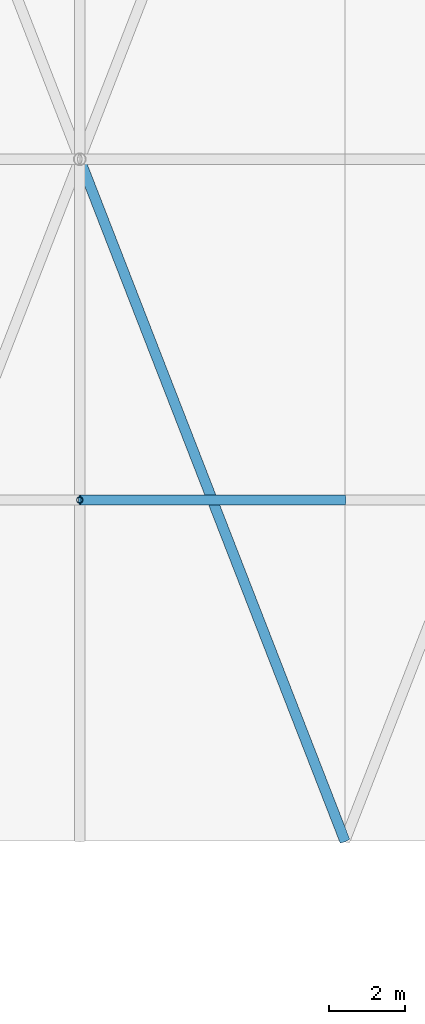
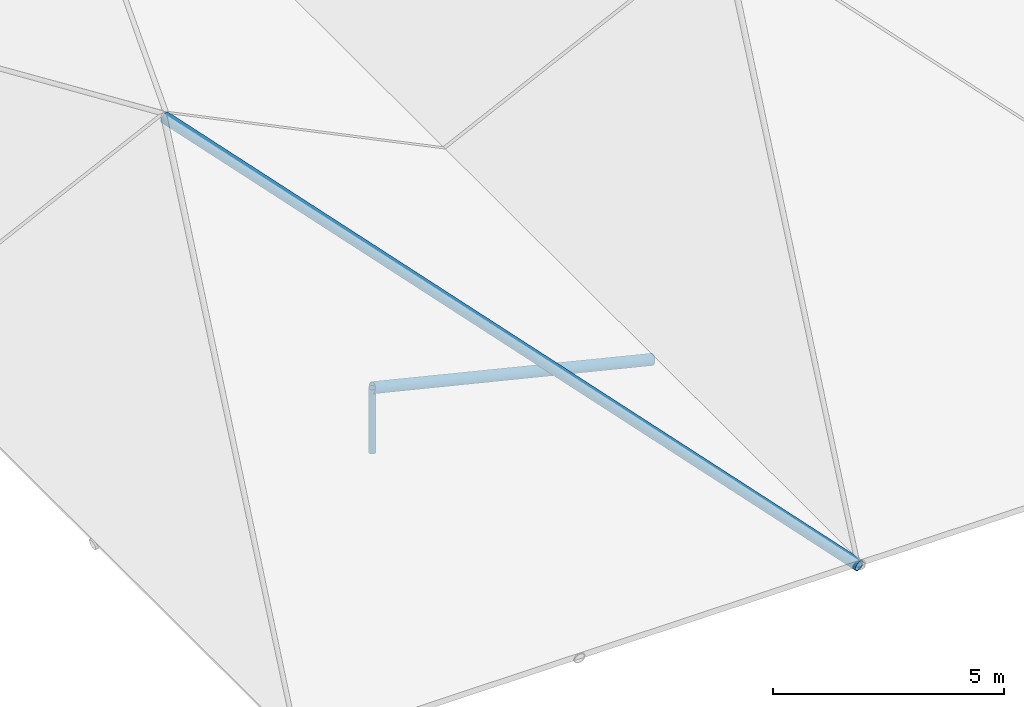
# One storey, part 2 of 93: 3 members.
"""IFC4 building model written with IfcOpenShell, lengths in metres."""

from ifc_helpers import new_model, si_unit, derived_unit, direction, frame, origin, origin_2d_with_axis, place, context, subcontext, project, spatial, hollow_circle, extrude, material, material_profile, profile_set, type_object, element, save


model = new_model("IFC4")

# Units and contexts
model_context = context("Model", 3, precision=1e-05, world=origin(), true_north=direction((0.0, 1.0)))
body_context = subcontext(model_context, "Body", "Model", "MODEL_VIEW")
ifc_project = project(units=[si_unit("LENGTHUNIT", "METRE"), si_unit("AREAUNIT", "SQUARE_METRE"), si_unit("VOLUMEUNIT", "CUBIC_METRE"), si_unit("PLANEANGLEUNIT", "RADIAN"), si_unit("MASSUNIT", "GRAM", prefix="KILO"), derived_unit("THERMALTRANSMITTANCEUNIT", [(si_unit("POWERUNIT", "WATT"), 1), (si_unit("LENGTHUNIT", "METRE"), -2), (si_unit("THERMODYNAMICTEMPERATUREUNIT", "KELVIN"), -1)])], contexts=[model_context])

# Site, building, storey
site_placement = place(None, origin())
site = spatial("IfcSite", under=ifc_project, at=site_placement, CompositionType="ELEMENT")
building_placement = place(site_placement, origin())
building = spatial("IfcBuilding", under=site, at=building_placement, Name="Cinnabar Yard Market Hall", CompositionType="ELEMENT")
storey_placement = place(building_placement, frame((0.0, 0.0, 23.800048828125)))
storey = spatial("IfcBuildingStorey", under=building, at=storey_placement, Name="ROOF", CompositionType="ELEMENT", Elevation=23.800048828125)

# Members
ifc_material = material(Name="Cold-formed steel C350L0", Category="steel")
ifc_material_profile_1 = material_profile(ifc_material, hollow_circle(Radius=0.136474609375, WallThickness=0.00927734375, at=origin_2d_with_axis()), Name="273.1x9.3CHS")
ifc_profile_set_1 = profile_set([ifc_material_profile_1], Name="Cold-formed steel C350L0")
member_type_1 = type_object("IfcMemberType", Name="MB-TC02", PredefinedType="CHORD", material=ifc_profile_set_1)
member_1_placement = place(storey_placement, frame((24.0, 48.0, -15.400146484375), z_axis=(-0.356956605479, 0.917888414088, 0.173386392456), x_axis=(-0.932004671541, -0.362446261155, 0.0)))
element("IfcMember", 1, at=member_1_placement, inside=storey, type_object=member_type_1, Name="Chhatri Hip Rafter CH1-2", PredefinedType="CHORD", context=body_context, shape_type="SweptSolid", body=[
    extrude(hollow_circle(Radius=0.136474609375, WallThickness=0.00927734375, at=origin_2d_with_axis()), origin(), (0.0, 0.0, 1.0), 19.610107421875),
])
member_2_placement = place(storey_placement, frame((17.0, 57.0, -13.699951171875), z_axis=(0.971747485636, 0.0, -0.23602293143), x_axis=(0.0, 1.0, 0.0)))
element("IfcMember", 2, at=member_2_placement, inside=storey, type_object=member_type_1, Name="Chhatri Rafter CH1-57B", PredefinedType="CHORD", context=body_context, shape_type="SweptSolid", body=[
    extrude(hollow_circle(Radius=0.136474609375, WallThickness=0.00927734375, at=origin_2d_with_axis()), origin(), (0.0, 0.0, 1.0), 7.20361328125),
])
ifc_material_profile_2 = material_profile(ifc_material, hollow_circle(Radius=0.084228515625, WallThickness=0.00634765625, at=origin_2d_with_axis()), Name="168.3x6.4CHS")
ifc_profile_set_2 = profile_set([ifc_material_profile_2], Name="Cold-formed steel C350L0")
member_type_2 = type_object("IfcMemberType", Name="MB-WB01", PredefinedType="STRUT", material=ifc_profile_set_2)
member_3_placement = place(storey_placement, frame((17.0, 57.0, -15.400146484375), z_axis=(0.0, 0.0, 1.0), x_axis=(1.0, 0.0, 0.0)))
element("IfcMember", 3, at=member_3_placement, inside=storey, type_object=member_type_2, Name="Chhatri Support Post CH1-57", PredefinedType="STRUT", context=body_context, shape_type="SweptSolid", body=[
    extrude(hollow_circle(Radius=0.084228515625, WallThickness=0.00634765625, at=origin_2d_with_axis()), origin(), (0.0, 0.0, 1.0), 1.7001953125),
])

save(model, "model.ifc")
